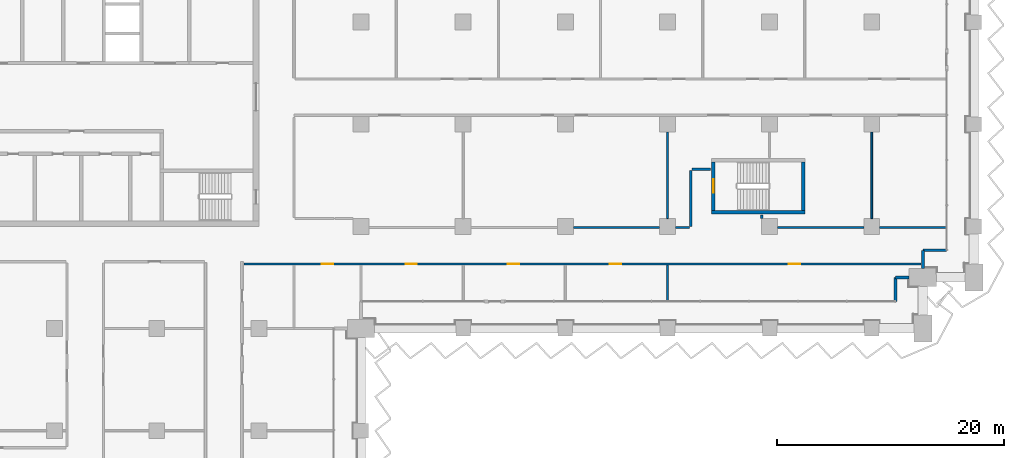
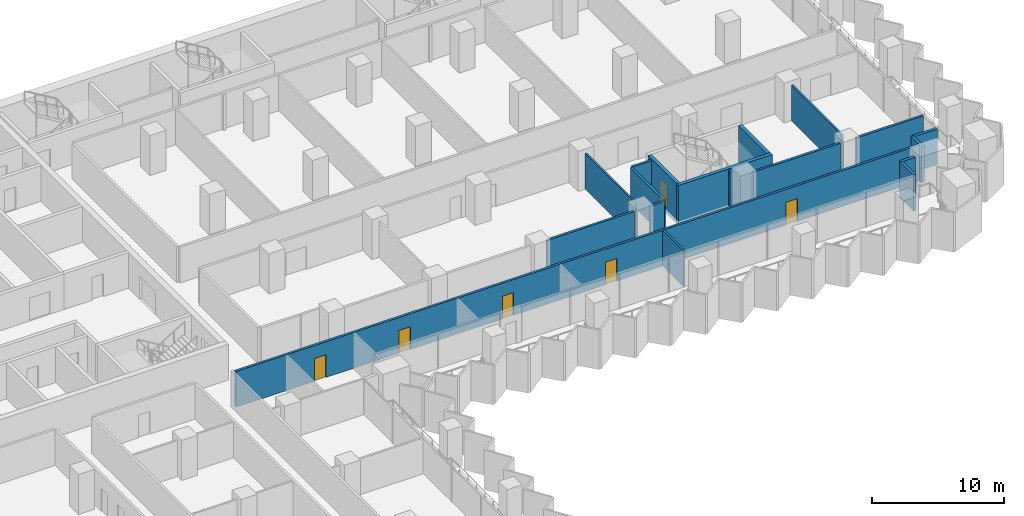
# One storey, part 13 of 29: 18 walls, 6 doors, 6 openings.
"""IFC4 building model written with IfcOpenShell, lengths in metres."""

import ifcopenshell
import ifcopenshell.guid

model = None  # the IFC model being written
_history = None  # IfcOwnerHistory: only IFC2X3 demands one
_inside = {}  # id of a spatial element -> (the spatial element, [elements in it])
_under = {}  # id of a project, library or spatial element -> (it, [spatial elements below it])
_declared = {}  # id of a project -> (the project, [libraries it declares])
_typed = {}  # id of a type object -> (the type object, [elements of that type])
_made_of = {}  # id of a material, layer set ... -> (it, [elements and type objects made of it])


def new_model(schema):
    """Start an empty IFC model of exactly this schema.

    Asked for "IFC4X3", IfcOpenShell would pick the latest addendum, in which some entities
    have other attributes; the version numbers below select the first issue.
    IFC2X3 requires an IfcOwnerHistory on every rooted entity: one is made here for all.
    """
    global model, _history
    if schema == "IFC4X3":
        model = ifcopenshell.file(schema_version=(4, 3, 0, 0))
    else:
        model = ifcopenshell.file(schema=schema)
    _inside.clear()
    _under.clear()
    _declared.clear()
    _typed.clear()
    _made_of.clear()
    _history = None
    if model.schema == "IFC2X3":
        org = make("IfcOrganization", Name="unknown")
        user = make(
            "IfcPersonAndOrganization",
            ThePerson=make("IfcPerson", FamilyName="unknown"),
            TheOrganization=org,
        )
        app = make(
            "IfcApplication",
            ApplicationDeveloper=org,
            Version="unknown",
            ApplicationFullName="unknown",
            ApplicationIdentifier="unknown",
        )
        _history = make(
            "IfcOwnerHistory",
            OwningUser=user,
            OwningApplication=app,
            ChangeAction="ADDED",
            CreationDate=0,
        )
    return model


def make(cls, **values):
    """One entity of the class cls with the attributes given. An attribute that is None is left unset."""
    return model.create_entity(
        cls, **{name: value for name, value in values.items() if value is not None}
    )


def rooted(cls, **values):
    """An entity with a GlobalId (a new one), such as an element, a storey or a relation."""
    return make(cls, GlobalId=ifcopenshell.guid.new(), OwnerHistory=_history, **values)


def si_unit(unit_type, name, prefix=None):
    """IfcSIUnit, for example si_unit("LENGTHUNIT", "METRE", prefix="MILLI")."""
    return make("IfcSIUnit", UnitType=unit_type, Prefix=prefix, Name=name)


def assignment(units):
    """IfcUnitAssignment: the units of a project."""
    return None if units is None else make("IfcUnitAssignment", Units=units)


def point(xyz):
    """IfcCartesianPoint."""
    return None if xyz is None else make("IfcCartesianPoint", Coordinates=xyz)


def direction(xyz):
    """IfcDirection."""
    return None if xyz is None else make("IfcDirection", DirectionRatios=xyz)


def frame(location, z_axis=None, x_axis=None):
    """IfcAxis2Placement3D, a coordinate frame: its origin and axes. An axis left out is left unset."""
    return make(
        "IfcAxis2Placement3D",
        Location=point(location),
        Axis=direction(z_axis),
        RefDirection=direction(x_axis),
    )


def frame_2d(location, x_axis=None):
    """IfcAxis2Placement2D, a coordinate frame in the plane: its origin and x axis."""
    return make(
        "IfcAxis2Placement2D", Location=point(location), RefDirection=direction(x_axis)
    )


def origin():
    """The frame at (0, 0, 0) with its axes left unset."""
    return frame((0.0, 0.0, 0.0))


def place(relative_to, where):
    """IfcLocalPlacement: puts the frame where relative to a parent placement (None: the world)."""
    return make(
        "IfcLocalPlacement", PlacementRelTo=relative_to, RelativePlacement=where
    )


def context(
    kind, dimensions, precision=None, world=None, true_north=None, identifier=None
):
    """IfcGeometricRepresentationContext, for example the 3D "Model" context."""
    return make(
        "IfcGeometricRepresentationContext",
        ContextIdentifier=identifier,
        ContextType=kind,
        CoordinateSpaceDimension=dimensions,
        Precision=precision,
        WorldCoordinateSystem=world,
        TrueNorth=true_north,
    )


def subcontext(parent, identifier, kind, view, scale=None):
    """IfcGeometricRepresentationSubContext, for example "Body" below "Model"."""
    return make(
        "IfcGeometricRepresentationSubContext",
        ContextIdentifier=identifier,
        ContextType=kind,
        ParentContext=parent,
        TargetScale=scale,
        TargetView=view,
    )


def project(units=None, contexts=None):
    """IfcProject with its units and contexts."""
    return rooted(
        "IfcProject",
        Name="project",
        RepresentationContexts=contexts,
        UnitsInContext=assignment(units),
    )


def spatial(cls, under=None, at=None, **own):
    """A site, building, storey or space (cls), placed at a placement, below another one or the project."""
    s = rooted(cls, ObjectPlacement=at, **own)
    if under is not None:
        _under.setdefault(under.id(), (under, []))[1].append(s)
    return s


def profile(cls, at=None, kind="AREA", **sizes):
    """A parametric profile (cls). Its sizes go by their IFC names, for example OverallWidth=200.0."""
    return make(cls, ProfileType=kind, Position=at, **sizes)


def rectangle(**sizes):
    """IfcRectangleProfileDef."""
    return profile("IfcRectangleProfileDef", **sizes)


def extrude(swept, where, along, depth):
    """IfcExtrudedAreaSolid: the profile swept, set in the frame where, extruded along a direction by depth."""
    return make(
        "IfcExtrudedAreaSolid",
        SweptArea=swept,
        Position=where,
        ExtrudedDirection=direction(along),
        Depth=depth,
    )


def shape(context_of_items, identifier, shape_type, items):
    """IfcShapeRepresentation: the items that make up one representation, for example the "Body"."""
    return make(
        "IfcShapeRepresentation",
        ContextOfItems=context_of_items,
        RepresentationIdentifier=identifier,
        RepresentationType=shape_type,
        Items=items,
    )


def material(Name=None, Category=None):
    """IfcMaterial."""
    return make("IfcMaterial", Name=Name, Category=Category)


def layer(
    of_material, thickness, ventilated=None, Name=None, Category=None, Priority=None
):
    """IfcMaterialLayer: one layer of a wall or slab, of a material (None: an air gap)."""
    return make(
        "IfcMaterialLayer",
        Material=of_material,
        LayerThickness=thickness,
        IsVentilated=ventilated,
        Name=Name,
        Category=Category,
        Priority=Priority,
    )


def layer_set(layers, Name=None):
    """IfcMaterialLayerSet."""
    return make("IfcMaterialLayerSet", MaterialLayers=layers, LayerSetName=Name)


def made_of(thing, what):
    """Note that an element or type object is made of a material, layer set ...; save() writes the relation."""
    if what is not None:
        _made_of.setdefault(what.id(), (what, []))[1].append(thing)
    return thing


def type_object(cls, material=None, **own):
    """A type object (cls), such as IfcWallType, which elements share."""
    return made_of(rooted(cls, **own), material)


def element(
    cls,
    number,
    at=None,
    inside=None,
    cuts=None,
    type_object=None,
    material=None,
    context=None,
    identifier="Body",
    shape_type=None,
    held_by="IfcProductDefinitionShape",
    body=None,
    shapes=None,
    **own,
):
    """One element of the class cls, such as IfcWall. Its Tag is "e" and its number.

    at: its placement. inside: the storey or other place that contains it. cuts: it is an
    opening in that element (IfcRelVoidsElement). A single representation is given by context,
    identifier, shape_type and body (its items); several are given by shapes. held_by: the class
    of the entity that holds the representations. save() writes the other relations.
    """
    e = rooted(cls, Tag="e%d" % number, ObjectPlacement=at, **own)
    if body is not None:
        shapes = [shape(context, identifier, shape_type, body)]
    if shapes is not None:
        e.Representation = make(held_by, Representations=shapes)
    if inside is not None:
        _inside.setdefault(inside.id(), (inside, []))[1].append(e)
    if cuts is not None:
        rooted(
            "IfcRelVoidsElement", RelatingBuildingElement=cuts, RelatedOpeningElement=e
        )
    if type_object is not None:
        _typed.setdefault(type_object.id(), (type_object, []))[1].append(e)
    return made_of(e, material)


def fill(opening, filler):
    """IfcRelFillsElement: the door or window that sits in an opening."""
    return rooted(
        "IfcRelFillsElement",
        RelatingOpeningElement=opening,
        RelatedBuildingElement=filler,
    )


def aggregate(whole, parts):
    """IfcRelAggregates: a whole, such as a stair, and the parts it consists of."""
    return rooted("IfcRelAggregates", RelatingObject=whole, RelatedObjects=parts)


def save(model, path):
    """Write the relations noted so far, then the file.

    IfcRelAggregates (storeys below a building ...), IfcRelContainedInSpatialStructure (elements
    in a storey), IfcRelDefinesByType, IfcRelAssociatesMaterial and IfcRelDeclares: one each for
    every whole, place, type object, material and project.
    """
    for whole, parts in _under.values():
        aggregate(whole, parts)
    for where, things in _inside.values():
        rooted(
            "IfcRelContainedInSpatialStructure",
            RelatedElements=things,
            RelatingStructure=where,
        )
    for kind, things in _typed.values():
        rooted("IfcRelDefinesByType", RelatedObjects=things, RelatingType=kind)
    for what, things in _made_of.values():
        rooted("IfcRelAssociatesMaterial", RelatedObjects=things, RelatingMaterial=what)
    for by, libraries in _declared.values():
        rooted("IfcRelDeclares", RelatingContext=by, RelatedDefinitions=libraries)
    model.write(path)


model = new_model("IFC4")

# Units and contexts
model_context = context("Model", 3, precision=1e-05, world=origin(), true_north=direction((0.0, 1.0)))
body_context = subcontext(model_context, "Body", "Model", "MODEL_VIEW")
ifc_project = project(units=[si_unit("LENGTHUNIT", "METRE"), si_unit("AREAUNIT", "SQUARE_METRE"), si_unit("VOLUMEUNIT", "CUBIC_METRE"), si_unit("PLANEANGLEUNIT", "RADIAN"), si_unit("MASSUNIT", "GRAM", prefix="KILO")], contexts=[model_context])

# Site, building, storey
site_placement = place(None, origin())
site = spatial("IfcSite", under=ifc_project, at=site_placement, CompositionType="ELEMENT")
building_placement = place(site_placement, origin())
building = spatial("IfcBuilding", under=site, at=building_placement, Name="Hunhe Ridgeline Campus", CompositionType="ELEMENT")
storey_placement = place(building_placement, frame((0.0, 0.0, 46.89990234375)))
storey = spatial("IfcBuildingStorey", under=building, at=storey_placement, Name="L10", CompositionType="ELEMENT", Elevation=46.89990234375)

# Walls
ifc_material_1 = material(Name="Concrete C30", Category="concrete")
ifc_layer_1 = layer(ifc_material_1, 0.25)
ifc_layer_set_1 = layer_set([ifc_layer_1], Name="Corner return wall 250 Concrete C30")
wall_type_1 = type_object("IfcWallType", Name="Corner return wall 250 Concrete C30", PredefinedType="SOLIDWALL", material=ifc_layer_set_1)
wall_1_placement = place(storey_placement, frame((92.09912109375, 56.40087890625, 0.0), z_axis=(0.0, 0.0, 1.0), x_axis=(0.00011626555, 0.999999993241, 0.0)))
element("IfcWall", 1, at=wall_1_placement, inside=storey, type_object=wall_type_1, Name="Corner return wall 4", PredefinedType="SOLIDWALL", context=body_context, shape_type="SweptSolid", body=[
    extrude(rectangle(XDim=2.099853515625, YDim=0.25, at=frame_2d((1.0498046875, 0.0))), origin(), (0.0, 0.0, 1.0), 3.300048828125),
])
wall_2_placement = place(storey_placement, frame((92.099365234375, 58.500732421875, 0.0), z_axis=(0.0, 0.0, 1.0), x_axis=(1.0, 0.0, 0.0)))
element("IfcWall", 2, at=wall_2_placement, inside=storey, type_object=wall_type_1, Name="Corner return wall 5", PredefinedType="SOLIDWALL", context=body_context, shape_type="SweptSolid", body=[
    extrude(rectangle(XDim=1.20068359375, YDim=0.25, at=frame_2d((0.600341796875, 0.0))), origin(), (0.0, 0.0, 1.0), 3.300048828125),
])
wall_3_placement = place(storey_placement, frame((94.4990234375, 59.300048828125, 0.0), z_axis=(0.0, 0.0, 1.0), x_axis=(0.00015253203, 0.999999988367, 0.0)))
element("IfcWall", 3, at=wall_3_placement, inside=storey, type_object=wall_type_1, Name="Corner return wall 6", PredefinedType="SOLIDWALL", context=body_context, shape_type="SweptSolid", body=[
    extrude(rectangle(XDim=1.6005859375, YDim=0.25, at=frame_2d((0.80029296875, 0.0))), origin(), (0.0, 0.0, 1.0), 3.300048828125),
])
wall_4_placement = place(storey_placement, frame((94.499267578125, 60.900634765625, 0.0), z_axis=(0.0, 0.0, 1.0), x_axis=(0.999999993241, 0.00011626555, 0.0)))
element("IfcWall", 4, at=wall_4_placement, inside=storey, type_object=wall_type_1, Name="Corner return wall 7", PredefinedType="SOLIDWALL", context=body_context, shape_type="SweptSolid", body=[
    extrude(rectangle(XDim=2.099853515625, YDim=0.25, at=frame_2d((1.0498046875, 0.0))), origin(), (0.0, 0.0, 1.0), 3.300048828125),
])

# Wall, openings, doors
ifc_material_2 = material(Name="Gypsum board partition")
ifc_layer_2 = layer(ifc_material_2, 0.199951171875)
ifc_layer_set_2 = layer_set([ifc_layer_2], Name="Corridor partition 200 gypsum board on steel studs")
wall_type_2 = type_object("IfcWallType", Name="Corridor partition 200 gypsum board on steel studs", PredefinedType="PARTITIONING", material=ifc_layer_set_2)
wall_5_placement = place(storey_placement, frame((94.35400390625, 59.699951171875, 0.0), z_axis=(0.0, 0.0, 1.0), x_axis=(-1.0, 0.0, 0.0)))
wall_5 = element("IfcWall", 5, at=wall_5_placement, inside=storey, type_object=wall_type_2, Name="F-L10-wall-037", PredefinedType="PARTITIONING", context=body_context, shape_type="SweptSolid", body=[
    extrude(rectangle(XDim=59.682373046875, YDim=0.199951171875, at=frame_2d((29.84130859375, 0.0))), origin(), (0.0, 0.0, 1.0), 3.300048828125),
])
opening_1_placement = place(wall_5_placement, frame((51.8046875, 0.0, 0.0)))
opening_1 = element("IfcOpeningElement", 6, at=opening_1_placement, cuts=wall_5, Name="Opening RD1-023", PredefinedType="OPENING", context=body_context, shape_type="SweptSolid", body=[
    extrude(rectangle(XDim=1.0, YDim=2.10009765625, at=frame_2d((0.5, 1.050048828125))), frame((0.0, 0.10009765625, 0.0), z_axis=(0.0, -1.0, 0.0), x_axis=(1.0, 0.0, 0.0)), (0.0, 0.0, 1.0), 0.199951171875),
])
opening_2_placement = place(wall_5_placement, frame((44.4267578125, 0.0, 0.0)))
opening_2 = element("IfcOpeningElement", 7, at=opening_2_placement, cuts=wall_5, Name="Opening RD1-024", PredefinedType="OPENING", context=body_context, shape_type="SweptSolid", body=[
    extrude(rectangle(XDim=1.0, YDim=2.10009765625, at=frame_2d((0.5, 1.050048828125))), frame((0.0, 0.10009765625, 0.0), z_axis=(0.0, -1.0, 0.0), x_axis=(1.0, 0.0, 0.0)), (0.0, 0.0, 1.0), 0.199951171875),
])
opening_3_placement = place(wall_5_placement, frame((35.423095703125, 0.0, 0.0)))
opening_3 = element("IfcOpeningElement", 8, at=opening_3_placement, cuts=wall_5, Name="Opening RD1-025", PredefinedType="OPENING", context=body_context, shape_type="SweptSolid", body=[
    extrude(rectangle(XDim=1.0, YDim=2.10009765625, at=frame_2d((0.5, 1.050048828125))), frame((0.0, 0.10009765625, 0.0), z_axis=(0.0, -1.0, 0.0), x_axis=(1.0, 0.0, 0.0)), (0.0, 0.0, 1.0), 0.199951171875),
])
opening_4_placement = place(wall_5_placement, frame((26.419677734375, 0.0, 0.0)))
opening_4 = element("IfcOpeningElement", 9, at=opening_4_placement, cuts=wall_5, Name="Opening RD1-026", PredefinedType="OPENING", context=body_context, shape_type="SweptSolid", body=[
    extrude(rectangle(XDim=1.0, YDim=2.10009765625, at=frame_2d((0.5, 1.050048828125))), frame((0.0, 0.10009765625, 0.0), z_axis=(0.0, -1.0, 0.0), x_axis=(1.0, 0.0, 0.0)), (0.0, 0.0, 1.0), 0.199951171875),
])
opening_5_placement = place(wall_5_placement, frame((10.66357421875, 0.0, 0.0)))
opening_5 = element("IfcOpeningElement", 10, at=opening_5_placement, cuts=wall_5, Name="Opening RD1-027", PredefinedType="OPENING", context=body_context, shape_type="SweptSolid", body=[
    extrude(rectangle(XDim=1.0, YDim=2.10009765625, at=frame_2d((0.5, 1.050048828125))), frame((0.0, 0.10009765625, 0.0), z_axis=(0.0, -1.0, 0.0), x_axis=(1.0, 0.0, 0.0)), (0.0, 0.0, 1.0), 0.199951171875),
])
ifc_material_3 = material(Name="Timber door leaf", Category="wood")
door_type_1 = type_object("IfcDoorType", Name="Single fire door 1000x2100 timber FD60", OperationType="NOTDEFINED", PredefinedType="DOOR", material=ifc_material_3)
door_1_placement = place(opening_1_placement, origin())
door_1 = element("IfcDoor", 11, at=door_1_placement, inside=storey, type_object=door_type_1, Name="F-L10-door-023", OperationType="SINGLE_SWING_LEFT", OverallHeight=2.10009765625, OverallWidth=1.0, PredefinedType="DOOR", context=body_context, shape_type="SweptSolid", body=[
    extrude(rectangle(XDim=1.0, YDim=2.10009765625, at=frame_2d((0.5, 1.050048828125))), frame((0.0, 0.02490234375, 0.0), z_axis=(0.0, -1.0, 0.0), x_axis=(1.0, 0.0, 0.0)), (0.0, 0.0, 1.0), 0.050048828125),
])
fill(opening_1, door_1)
door_2_placement = place(opening_2_placement, origin())
door_2 = element("IfcDoor", 12, at=door_2_placement, inside=storey, type_object=door_type_1, Name="F-L10-door-024", OperationType="SINGLE_SWING_LEFT", OverallHeight=2.10009765625, OverallWidth=1.0, PredefinedType="DOOR", context=body_context, shape_type="SweptSolid", body=[
    extrude(rectangle(XDim=1.0, YDim=2.10009765625, at=frame_2d((0.5, 1.050048828125))), frame((0.0, 0.02490234375, 0.0), z_axis=(0.0, -1.0, 0.0), x_axis=(1.0, 0.0, 0.0)), (0.0, 0.0, 1.0), 0.050048828125),
])
fill(opening_2, door_2)
door_3_placement = place(opening_3_placement, origin())
door_3 = element("IfcDoor", 13, at=door_3_placement, inside=storey, type_object=door_type_1, Name="F-L10-door-025", OperationType="SINGLE_SWING_RIGHT", OverallHeight=2.10009765625, OverallWidth=1.0, PredefinedType="DOOR", context=body_context, shape_type="SweptSolid", body=[
    extrude(rectangle(XDim=1.0, YDim=2.10009765625, at=frame_2d((0.5, 1.050048828125))), frame((0.0, 0.02490234375, 0.0), z_axis=(0.0, -1.0, 0.0), x_axis=(1.0, 0.0, 0.0)), (0.0, 0.0, 1.0), 0.050048828125),
])
fill(opening_3, door_3)
door_4_placement = place(opening_4_placement, origin())
door_4 = element("IfcDoor", 14, at=door_4_placement, inside=storey, type_object=door_type_1, Name="F-L10-door-026", OperationType="SINGLE_SWING_LEFT", OverallHeight=2.10009765625, OverallWidth=1.0, PredefinedType="DOOR", context=body_context, shape_type="SweptSolid", body=[
    extrude(rectangle(XDim=1.0, YDim=2.10009765625, at=frame_2d((0.5, 1.050048828125))), frame((0.0, 0.02490234375, 0.0), z_axis=(0.0, -1.0, 0.0), x_axis=(1.0, 0.0, 0.0)), (0.0, 0.0, 1.0), 0.050048828125),
])
fill(opening_4, door_4)
door_5_placement = place(opening_5_placement, origin())
door_5 = element("IfcDoor", 15, at=door_5_placement, inside=storey, type_object=door_type_1, Name="F-L10-door-027", OperationType="SINGLE_SWING_LEFT", OverallHeight=2.10009765625, OverallWidth=1.0, PredefinedType="DOOR", context=body_context, shape_type="SweptSolid", body=[
    extrude(rectangle(XDim=1.0, YDim=2.10009765625, at=frame_2d((0.5, 1.050048828125))), frame((0.0, 0.02490234375, 0.0), z_axis=(0.0, -1.0, 0.0), x_axis=(1.0, 0.0, 0.0)), (0.0, 0.0, 1.0), 0.050048828125),
])
fill(opening_5, door_5)

# Walls
wall_6_placement = place(storey_placement, frame((63.699951171875, 62.89990234375, 0.0), z_axis=(0.0, 0.0, 1.0), x_axis=(1.0, 0.0, 0.0)))
element("IfcWall", 16, at=wall_6_placement, inside=storey, type_object=wall_type_2, Name="F-L10-wall-042", PredefinedType="PARTITIONING", context=body_context, shape_type="SweptSolid", body=[
    extrude(rectangle(XDim=7.60009765625, YDim=0.199951171875, at=frame_2d((3.800048828125, 0.0))), origin(), (0.0, 0.0, 1.0), 3.300048828125),
])
wall_7_placement = place(storey_placement, frame((72.699951171875, 62.89990234375, 0.0), z_axis=(0.0, 0.0, 1.0), x_axis=(1.0, 0.0, 0.0)))
element("IfcWall", 17, at=wall_7_placement, inside=storey, type_object=wall_type_2, Name="F-L10-wall-043", PredefinedType="PARTITIONING", context=body_context, shape_type="SweptSolid", body=[
    extrude(rectangle(XDim=1.25, YDim=0.199951171875, at=frame_2d((0.625, 0.0))), origin(), (0.0, 0.0, 1.0), 3.300048828125),
])
wall_8_placement = place(storey_placement, frame((81.699951171875, 62.89990234375, 0.0), z_axis=(0.0, 0.0, 1.0), x_axis=(1.0, 0.0, 0.0)))
element("IfcWall", 18, at=wall_8_placement, inside=storey, type_object=wall_type_2, Name="F-L10-wall-044", PredefinedType="PARTITIONING", context=body_context, shape_type="SweptSolid", body=[
    extrude(rectangle(XDim=7.60009765625, YDim=0.199951171875, at=frame_2d((3.800048828125, 0.0))), origin(), (0.0, 0.0, 1.0), 3.300048828125),
])
wall_9_placement = place(storey_placement, frame((90.699951171875, 62.89990234375, 0.0), z_axis=(0.0, 0.0, 1.0), x_axis=(1.0, 0.0, 0.0)))
element("IfcWall", 19, at=wall_9_placement, inside=storey, type_object=wall_type_2, Name="F-L10-wall-045", PredefinedType="PARTITIONING", context=body_context, shape_type="SweptSolid", body=[
    extrude(rectangle(XDim=5.844970703125, YDim=0.199951171875, at=frame_2d((2.92236328125, 0.0))), origin(), (0.0, 0.0, 1.0), 3.300048828125),
])
wall_10_placement = place(storey_placement, frame((74.14990234375, 68.050048828125, 0.0), z_axis=(0.0, 0.0, 1.0), x_axis=(1.0, 0.0, 0.0)))
element("IfcWall", 20, at=wall_10_placement, inside=storey, type_object=wall_type_2, Name="F-L10-wall-048", PredefinedType="PARTITIONING", context=body_context, shape_type="SweptSolid", body=[
    extrude(rectangle(XDim=1.64599609375, YDim=0.199951171875, at=frame_2d((0.822998046875, 0.0))), origin(), (0.0, 0.0, 1.0), 3.300048828125),
])
wall_11_placement = place(storey_placement, frame((74.050048828125, 63.0, 0.0), z_axis=(0.0, 0.0, 1.0), x_axis=(0.0, 1.0, 0.0)))
element("IfcWall", 21, at=wall_11_placement, inside=storey, type_object=wall_type_2, Name="F-L10-wall-084", PredefinedType="PARTITIONING", context=body_context, shape_type="SweptSolid", body=[
    extrude(rectangle(XDim=4.949951171875, YDim=0.199951171875, at=frame_2d((2.47509765625, 0.0))), origin(), (0.0, 0.0, 1.0), 3.300048828125),
])
wall_12_placement = place(storey_placement, frame((80.300048828125, 63.99609375, 0.0), z_axis=(0.0, 0.0, 1.0), x_axis=(0.0, -1.0, 0.0)))
element("IfcWall", 22, at=wall_12_placement, inside=storey, type_object=wall_type_2, Name="F-L10-wall-086", PredefinedType="PARTITIONING", context=body_context, shape_type="SweptSolid", body=[
    extrude(rectangle(XDim=0.296142578125, YDim=0.199951171875, at=frame_2d((0.14794921875, 0.0))), origin(), (0.0, 0.0, 1.0), 3.300048828125),
])
ifc_layer_3 = layer(ifc_material_2, 0.14990234375)
ifc_layer_set_3 = layer_set([ifc_layer_3], Name="Room partition 150 gypsum board on steel studs")
wall_type_3 = type_object("IfcWallType", Name="Room partition 150 gypsum board on steel studs", PredefinedType="PARTITIONING", material=ifc_layer_set_3)
wall_13_placement = place(storey_placement, frame((72.0, 59.60009765625, 0.0), z_axis=(0.0, 0.0, 1.0), x_axis=(0.0, -1.0, 0.0)))
element("IfcWall", 23, at=wall_13_placement, inside=storey, type_object=wall_type_3, Name="F-L10-wall-082", PredefinedType="PARTITIONING", context=body_context, shape_type="SweptSolid", body=[
    extrude(rectangle(XDim=3.145263671875, YDim=0.14990234375, at=frame_2d((1.57275390625, 0.0))), origin(), (0.0, 0.0, 1.0), 3.300048828125),
])
for number, where, z_axis, x_axis, name in (
    (24, (72.0, 71.300048828125, 0.0), (0.0, 0.0, 1.0), (0.0, -1.0, 0.0), "F-L10-wall-083"),
    (25, (90.0, 71.300048828125, 0.0), (0.0, 0.0, 1.0), (0.0, -1.0, 0.0), "F-L10-wall-091"),
):
    element("IfcWall", number, at=place(storey_placement, frame(where, z_axis=z_axis, x_axis=x_axis)), inside=storey, type_object=wall_type_3, Name=name, PredefinedType="PARTITIONING", context=body_context, shape_type="SweptSolid", body=[
        extrude(rectangle(XDim=7.60009765625, YDim=0.14990234375, at=frame_2d((3.800048828125, 0.0))), origin(), (0.0, 0.0, 1.0), 3.300048828125),
    ])
ifc_material_4 = material(Name="Concrete C80", Category="concrete")
ifc_layer_4 = layer(ifc_material_4, 0.300048828125)
ifc_layer_set_4 = layer_set([ifc_layer_4], Name="Stair wall 300 reinforced concrete C80")
wall_type_4 = type_object("IfcWallType", Name="Stair wall 300 reinforced concrete C80", PredefinedType="SOLIDWALL", material=ifc_layer_set_4)
wall_14_placement = place(storey_placement, frame((75.89990234375, 64.25, -0.39990234375), z_axis=(0.0, 0.0, 1.0), x_axis=(1.0, 0.0, 0.0)))
element("IfcWall", 26, at=wall_14_placement, inside=storey, type_object=wall_type_4, Name="L10 core wall 8", PredefinedType="SOLIDWALL", context=body_context, shape_type="SweptSolid", body=[
    extrude(rectangle(XDim=8.2001953125, YDim=0.300048828125, at=frame_2d((4.10009765625, 0.0))), origin(), (0.0, 0.0, 1.0), 3.699951171875),
])

# Wall, opening, door
wall_15_placement = place(storey_placement, frame((76.050048828125, 64.39990234375, -0.39990234375), z_axis=(0.0, 0.0, 1.0), x_axis=(0.0, 1.0, 0.0)))
wall_15 = element("IfcWall", 27, at=wall_15_placement, inside=storey, type_object=wall_type_4, Name="L10 core wall 71", PredefinedType="SOLIDWALL", context=body_context, shape_type="SweptSolid", body=[
    extrude(rectangle(XDim=4.300048828125, YDim=0.300048828125, at=frame_2d((2.14990234375, 0.0))), origin(), (0.0, 0.0, 1.0), 3.699951171875),
])
opening_6_placement = place(wall_15_placement, frame((1.550048828125, 0.0, 0.39990234375)))
opening_6 = element("IfcOpeningElement", 28, at=opening_6_placement, cuts=wall_15, Name="Opening CD24", PredefinedType="OPENING", context=body_context, shape_type="SweptSolid", body=[
    extrude(rectangle(XDim=1.199951171875, YDim=2.10009765625, at=frame_2d((0.60009765625, 1.050048828125))), frame((0.0, 0.14990234375, 0.0), z_axis=(0.0, -1.0, 0.0), x_axis=(1.0, 0.0, 0.0)), (0.0, 0.0, 1.0), 0.300048828125),
])
ifc_material_5 = material(Name="Hollow metal fire door leaf")
door_type_2 = type_object("IfcDoorType", Name="Stair door 1200x2100 FD60", OperationType="SINGLE_SWING_LEFT", PredefinedType="DOOR", material=ifc_material_5)
door_6_placement = place(opening_6_placement, origin())
door_6 = element("IfcDoor", 29, at=door_6_placement, inside=storey, type_object=door_type_2, Name="L10 door E5", OperationType="SINGLE_SWING_RIGHT", OverallHeight=2.10009765625, OverallWidth=1.199951171875, PredefinedType="DOOR", context=body_context, shape_type="SweptSolid", body=[
    extrude(rectangle(XDim=1.199951171875, YDim=2.10009765625, at=frame_2d((0.60009765625, 1.050048828125))), frame((0.0, 0.02490234375, 0.0), z_axis=(0.0, -1.0, 0.0), x_axis=(1.0, 0.0, 0.0)), (0.0, 0.0, 1.0), 0.050048828125),
])
fill(opening_6, door_6)

# Wall
wall_16_placement = place(storey_placement, frame((83.949951171875, 64.39990234375, -0.39990234375), z_axis=(0.0, 0.0, 1.0), x_axis=(0.0, 1.0, 0.0)))
element("IfcWall", 30, at=wall_16_placement, inside=storey, type_object=wall_type_4, Name="L10 core wall 72", PredefinedType="SOLIDWALL", context=body_context, shape_type="SweptSolid", body=[
    extrude(rectangle(XDim=4.300048828125, YDim=0.300048828125, at=frame_2d((2.14990234375, 0.0))), origin(), (0.0, 0.0, 1.0), 3.699951171875),
])

save(model, "model.ifc")
